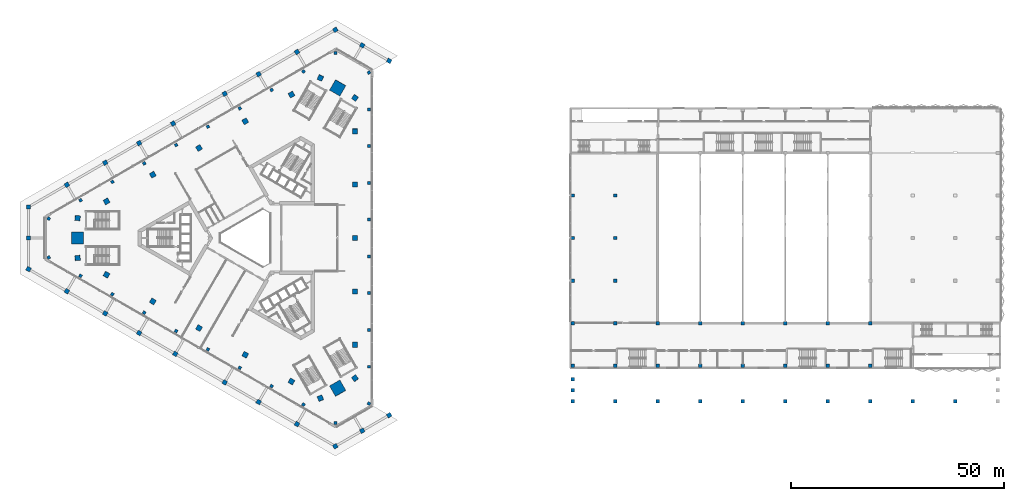
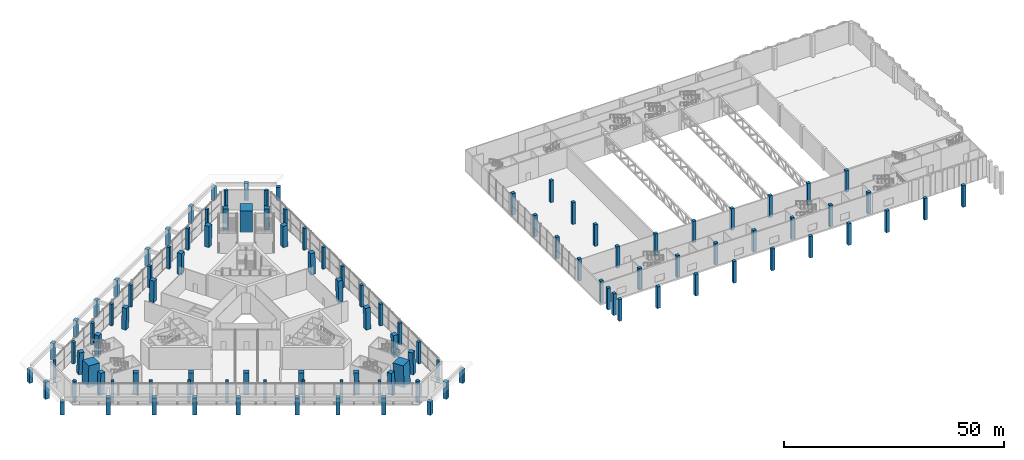
# One storey, part 1 of 51: 111 columns.
"""IFC4 building model written with IfcOpenShell, lengths in metres."""

from ifc_helpers import new_model, si_unit, direction, frame, origin, origin_2d, place, context, subcontext, project, spatial, rectangle, extrude, material, material_profile, profile_set, type_object, element, save


model = new_model("IFC4")

# Units and contexts
model_context = context("Model", 3, precision=1e-05, world=origin(), true_north=direction((0.0, 1.0)))
body_context = subcontext(model_context, "Body", "Model", "MODEL_VIEW")
ifc_project = project(units=[si_unit("LENGTHUNIT", "METRE"), si_unit("AREAUNIT", "SQUARE_METRE"), si_unit("VOLUMEUNIT", "CUBIC_METRE"), si_unit("PLANEANGLEUNIT", "RADIAN"), si_unit("MASSUNIT", "GRAM", prefix="KILO")], contexts=[model_context])

# Site, building, storey
site_placement = place(None, origin())
site = spatial("IfcSite", under=ifc_project, at=site_placement, CompositionType="ELEMENT")
building_placement = place(site_placement, origin())
building = spatial("IfcBuilding", under=site, at=building_placement, Name="Jabali Bay Hotel Tower and Convention Centre", CompositionType="ELEMENT")
storey_placement = place(building_placement, frame((0.0, 0.0, 9.0)))
storey = spatial("IfcBuildingStorey", under=building, at=storey_placement, Name="L01", CompositionType="ELEMENT", Elevation=9.0)

# Columns
ifc_material_1 = material(Name="Concrete C50", Category="concrete")
ifc_material_profile_1 = material_profile(ifc_material_1, rectangle(XDim=1.0, YDim=1.0, at=origin_2d()), Name="RC 1000x1000")
ifc_profile_set_1 = profile_set([ifc_material_profile_1], Name="Concrete C50")
column_type_1 = type_object("IfcColumnType", Name="Arcade Pier 1000x1000", PredefinedType="COLUMN", material=ifc_profile_set_1)
for number, where, z_axis, x_axis, name in (
    (1, (107.5, 121.6728515625, 0.0), (0.0, 0.0, 1.0), (-0.866025403784, 0.5, 0.0), "Arcade pier 1"),
    (2, (94.83984375, 128.982177734375, 0.0), (0.0, 0.0, 1.0), (-0.866025403784, -0.5, 0.0), "Arcade pier 2"),
    (3, (22.66015625, 87.309326171875, 0.0), (0.0, 0.0, 1.0), (0.0, -1.0, 0.0), "Arcade pier 3"),
    (4, (22.66015625, 72.690673828125, 0.0), (0.0, 0.0, 1.0), (0.866025403784, -0.5, 0.0), "Arcade pier 4"),
    (5, (94.83984375, 31.017822265625, 0.0), (0.0, 0.0, 1.0), (0.866025403784, 0.5, 0.0), "Arcade pier 5"),
    (6, (107.5, 38.3271484375, 0.0), (0.0, 0.0, 1.0), (0.866025403784, 0.5, 0.0), "Arcade pier 6"),
):
    element("IfcColumn", number, at=place(storey_placement, frame(where, z_axis=z_axis, x_axis=x_axis)), inside=storey, type_object=column_type_1, Name=name, PredefinedType="COLUMN", context=body_context, shape_type="SweptSolid", body=[
        extrude(rectangle(XDim=1.0, YDim=1.0, at=origin_2d()), origin(), (0.0, 0.0, 1.0), 3.699951171875),
    ])
for number, where, z_axis, x_axis, name in (
    (7, (101.169921875, 125.32763671875, 0.0), (0.0, 0.0, 1.0), (-0.866025403784, 0.5, 0.0), "Arcade pier 7"),
    (8, (85.8173828125, 123.773193359375, 0.0), (0.0, 0.0, 1.0), (-0.866025403784, -0.5, 0.0), "Arcade pier 8"),
    (9, (76.794921875, 118.56396484375, 0.0), (0.0, 0.0, 1.0), (-0.866025403784, -0.5, 0.0), "Arcade pier 9"),
    (10, (68.811767578125, 113.954833984375, 0.0), (0.0, 0.0, 1.0), (-0.866025403784, -0.5, 0.0), "Arcade pier 10"),
    (11, (56.671630859375, 106.94580078125, 0.0), (0.0, 0.0, 1.0), (-0.866025403784, -0.5, 0.0), "Arcade pier 11"),
    (12, (48.688232421875, 102.336669921875, 0.0), (0.0, 0.0, 1.0), (-0.866025403784, -0.5, 0.0), "Arcade pier 12"),
    (13, (40.705078125, 97.7275390625, 0.0), (0.0, 0.0, 1.0), (-0.866025403784, -0.5, 0.0), "Arcade pier 13"),
    (14, (31.6826171875, 92.5185546875, 0.0), (0.0, 0.0, 1.0), (-0.866025403784, -0.5, 0.0), "Arcade pier 14"),
    (15, (22.66015625, 80.0, 0.0), (0.0, 0.0, 1.0), (0.0, -1.0, 0.0), "Arcade pier 15"),
    (16, (31.6826171875, 67.4814453125, 0.0), (0.0, 0.0, 1.0), (0.866025403784, -0.5, 0.0), "Arcade pier 16"),
    (17, (40.705078125, 62.2724609375, 0.0), (0.0, 0.0, 1.0), (0.866025403784, -0.5, 0.0), "Arcade pier 17"),
    (18, (48.688232421875, 57.663330078125, 0.0), (0.0, 0.0, 1.0), (0.866025403784, -0.5, 0.0), "Arcade pier 18"),
    (19, (57.191162109375, 52.754150390625, 0.0), (0.0, 0.0, 1.0), (0.866025403784, -0.5, 0.0), "Arcade pier 19"),
    (20, (68.811767578125, 46.045166015625, 0.0), (0.0, 0.0, 1.0), (0.866025403784, -0.5, 0.0), "Arcade pier 20"),
    (21, (76.794921875, 41.43603515625, 0.0), (0.0, 0.0, 1.0), (0.866025403784, -0.5, 0.0), "Arcade pier 21"),
    (22, (85.8173828125, 36.226806640625, 0.0), (0.0, 0.0, 1.0), (0.866025403784, -0.5, 0.0), "Arcade pier 22"),
    (23, (101.169921875, 34.67236328125, 0.0), (0.0, 0.0, 1.0), (0.866025403784, 0.5, 0.0), "Arcade pier 23"),
):
    element("IfcColumn", number, at=place(storey_placement, frame(where, z_axis=z_axis, x_axis=x_axis)), inside=storey, type_object=column_type_1, Name=name, PredefinedType="COLUMN", context=body_context, shape_type="SweptSolid", body=[
        extrude(rectangle(XDim=1.0, YDim=1.0, at=origin_2d()), origin(), (0.0, 0.0, 1.0), 4.699951171875),
    ])
ifc_material_2 = material(Name="Concrete C60", Category="concrete")
ifc_material_profile_2 = material_profile(ifc_material_2, rectangle(XDim=0.800048828125, YDim=0.800048828125, at=origin_2d()), Name="RC 800x800")
ifc_profile_set_2 = profile_set([ifc_material_profile_2], Name="Concrete C60")
column_type_2 = type_object("IfcColumnType", Name="CC Column 800x800 C60", PredefinedType="COLUMN", material=ifc_profile_set_2)
for number, where, z_axis, x_axis, name in (
    (24, (150.699951171875, 50.0, 0.0), (0.0, 0.0, 1.0), (1.0, 0.0, 0.0), "CC column CC1/A"),
    (25, (150.699951171875, 60.0, 0.0), (0.0, 0.0, 1.0), (1.0, 0.0, 0.0), "CC column CC1/B"),
    (26, (150.699951171875, 70.0, 0.0), (0.0, 0.0, 1.0), (1.0, 0.0, 0.0), "CC column CC1/C"),
    (27, (150.699951171875, 80.0, 0.0), (0.0, 0.0, 1.0), (1.0, 0.0, 0.0), "CC column CC1/D"),
    (28, (150.699951171875, 90.0, 0.0), (0.0, 0.0, 1.0), (1.0, 0.0, 0.0), "CC column CC1/E"),
    (29, (160.699951171875, 50.0, 0.0), (0.0, 0.0, 1.0), (1.0, 0.0, 0.0), "CC column CC2/A"),
    (30, (160.699951171875, 60.0, 0.0), (0.0, 0.0, 1.0), (1.0, 0.0, 0.0), "CC column CC2/B"),
    (31, (160.699951171875, 70.0, 0.0), (0.0, 0.0, 1.0), (1.0, 0.0, 0.0), "CC column CC2/C"),
    (32, (160.699951171875, 80.0, 0.0), (0.0, 0.0, 1.0), (1.0, 0.0, 0.0), "CC column CC2/D"),
    (33, (160.699951171875, 90.0, 0.0), (0.0, 0.0, 1.0), (1.0, 0.0, 0.0), "CC column CC2/E"),
    (34, (170.699951171875, 50.0, 0.0), (0.0, 0.0, 1.0), (1.0, 0.0, 0.0), "CC column CC3/A"),
    (35, (170.699951171875, 60.0, 0.0), (0.0, 0.0, 1.0), (1.0, 0.0, 0.0), "CC column CC3/B"),
    (36, (180.699951171875, 50.0, 0.0), (0.0, 0.0, 1.0), (1.0, 0.0, 0.0), "CC column CC4/A"),
    (37, (180.699951171875, 60.0, 0.0), (0.0, 0.0, 1.0), (1.0, 0.0, 0.0), "CC column CC4/B"),
    (38, (190.699951171875, 50.0, 0.0), (0.0, 0.0, 1.0), (1.0, 0.0, 0.0), "CC column CC5/A"),
    (39, (190.699951171875, 60.0, 0.0), (0.0, 0.0, 1.0), (1.0, 0.0, 0.0), "CC column CC5/B"),
    (40, (200.699951171875, 50.0, 0.0), (0.0, 0.0, 1.0), (1.0, 0.0, 0.0), "CC column CC6/A"),
    (41, (200.699951171875, 60.0, 0.0), (0.0, 0.0, 1.0), (1.0, 0.0, 0.0), "CC column CC6/B"),
    (42, (210.699951171875, 50.0, 0.0), (0.0, 0.0, 1.0), (1.0, 0.0, 0.0), "CC column CC7/A"),
    (43, (210.699951171875, 60.0, 0.0), (0.0, 0.0, 1.0), (1.0, 0.0, 0.0), "CC column CC7/B"),
    (44, (220.699951171875, 50.0, 0.0), (0.0, 0.0, 1.0), (1.0, 0.0, 0.0), "CC column CC8/A"),
    (45, (220.699951171875, 60.0, 0.0), (0.0, 0.0, 1.0), (1.0, 0.0, 0.0), "CC column CC8/B"),
):
    element("IfcColumn", number, at=place(storey_placement, frame(where, z_axis=z_axis, x_axis=x_axis)), inside=storey, type_object=column_type_2, Name=name, PredefinedType="COLUMN", context=body_context, shape_type="SweptSolid", body=[
        extrude(rectangle(XDim=0.800048828125, YDim=0.800048828125, at=origin_2d()), origin(), (0.0, 0.0, 1.0), 6.0),
    ])
ifc_material_profile_3 = material_profile(ifc_material_2, rectangle(XDim=0.800048828125, YDim=0.800048828125, at=origin_2d()), Name="RC 800x800")
ifc_profile_set_3 = profile_set([ifc_material_profile_3], Name="Concrete C60")
column_type_3 = type_object("IfcColumnType", Name="CC South Pier 800x800", PredefinedType="COLUMN", material=ifc_profile_set_3)
for number, where, z_axis, x_axis, name in (
    (46, (150.699951171875, 44.199951171875, 0.0), (0.0, 0.0, 1.0), (1.0, 0.0, 0.0), "CC south roof return pier W1"),
    (47, (150.699951171875, 46.800048828125, 0.0), (0.0, 0.0, 1.0), (1.0, 0.0, 0.0), "CC south roof return pier W2"),
    (48, (150.699951171875, 41.60009765625, 0.0), (0.0, 0.0, 1.0), (1.0, 0.0, 0.0), "CC south roof pier 1"),
    (49, (160.699951171875, 41.60009765625, 0.0), (0.0, 0.0, 1.0), (1.0, 0.0, 0.0), "CC south roof pier 2"),
    (50, (170.699951171875, 41.60009765625, 0.0), (0.0, 0.0, 1.0), (1.0, 0.0, 0.0), "CC south roof pier 3"),
    (51, (180.699951171875, 41.60009765625, 0.0), (0.0, 0.0, 1.0), (1.0, 0.0, 0.0), "CC south roof pier 4"),
    (52, (190.699951171875, 41.60009765625, 0.0), (0.0, 0.0, 1.0), (1.0, 0.0, 0.0), "CC south roof pier 5"),
    (53, (200.699951171875, 41.60009765625, 0.0), (0.0, 0.0, 1.0), (1.0, 0.0, 0.0), "CC south roof pier 6"),
    (54, (210.699951171875, 41.60009765625, 0.0), (0.0, 0.0, 1.0), (1.0, 0.0, 0.0), "CC south roof pier 7"),
    (55, (220.699951171875, 41.60009765625, 0.0), (0.0, 0.0, 1.0), (1.0, 0.0, 0.0), "CC south roof pier 8"),
    (56, (230.699951171875, 41.60009765625, 0.0), (0.0, 0.0, 1.0), (1.0, 0.0, 0.0), "CC south roof pier 9"),
    (57, (240.699951171875, 41.60009765625, 0.0), (0.0, 0.0, 1.0), (1.0, 0.0, 0.0), "CC south roof pier 10"),
):
    element("IfcColumn", number, at=place(storey_placement, frame(where, z_axis=z_axis, x_axis=x_axis)), inside=storey, type_object=column_type_3, Name=name, PredefinedType="COLUMN", context=body_context, shape_type="SweptSolid", body=[
        extrude(rectangle(XDim=0.800048828125, YDim=0.800048828125, at=origin_2d()), origin(), (0.0, 0.0, 1.0), 6.0),
    ])
ifc_material_profile_4 = material_profile(ifc_material_2, rectangle(XDim=1.199951171875, YDim=1.199951171875, at=origin_2d()), Name="Frame column 1200")
ifc_profile_set_4 = profile_set([ifc_material_profile_4], Name="Concrete C60")
column_type_4 = type_object("IfcColumnType", Name="Frame column 1200", PredefinedType="COLUMN", material=ifc_profile_set_4)
column_1_placement = place(storey_placement, frame((84.5244140625, 113.759033203125, 0.0), z_axis=(-0.00833787672, -0.028145418002, 0.999569064776), x_axis=(0.865309082084, 0.500785083467, 0.021318832991)))
element("IfcColumn", 58, at=column_1_placement, inside=storey, type_object=column_type_4, Name="FC1 F1.1 L01", PredefinedType="COLUMN", context=body_context, shape_type="SweptSolid", body=[
    extrude(rectangle(XDim=1.199951171875, YDim=1.199951171875, at=origin_2d()), origin(), (0.0, 0.0, 1.0), 6.002685546875),
])
column_2_placement = place(storey_placement, frame((73.643798828125, 107.47705078125, 0.0), z_axis=(0.000854269334, -0.022821195063, 0.999739197631), x_axis=(0.866126375085, 0.499711236575, 0.010666884352)))
element("IfcColumn", 59, at=column_2_placement, inside=storey, type_object=column_type_4, Name="FC1 F1.2 L01", PredefinedType="COLUMN", context=body_context, shape_type="SweptSolid", body=[
    extrude(rectangle(XDim=1.199951171875, YDim=1.199951171875, at=origin_2d()), origin(), (0.0, 0.0, 1.0), 6.00146484375),
])
column_3_placement = place(storey_placement, frame((62.762939453125, 101.195068359375, 0.0), z_axis=(0.010089088034, -0.017493176833, 0.999796078742), x_axis=(-0.499503863696, 0.866076260626, 0.020194081635)))
element("IfcColumn", 60, at=column_3_placement, inside=storey, type_object=column_type_4, Name="FC1 F1.3 L01", PredefinedType="COLUMN", context=body_context, shape_type="SweptSolid", body=[
    extrude(rectangle(XDim=1.199951171875, YDim=1.199951171875, at=origin_2d()), origin(), (0.0, 0.0, 1.0), 6.001220703125),
])
column_4_placement = place(storey_placement, frame((51.88232421875, 94.9130859375, 0.0), z_axis=(0.019322760918, -0.012163169504, 0.999739310129), x_axis=(-0.499287947534, 0.866200880025, 0.02018863274)))
element("IfcColumn", 61, at=column_4_placement, inside=storey, type_object=column_type_4, Name="FC1 F1.4 L01", PredefinedType="COLUMN", context=body_context, shape_type="SweptSolid", body=[
    extrude(rectangle(XDim=1.199951171875, YDim=1.199951171875, at=origin_2d()), origin(), (0.0, 0.0, 1.0), 6.00146484375),
])
for number, where, z_axis, x_axis, name in (
    (62, (41.00146484375, 88.631103515625, 0.0), (0.028552140413, -0.006832990868, 0.999568949855), (-0.499223808218, 0.86623801127, 0.020181603974), "FC1 F1.5 L01"),
    (63, (41.00146484375, 71.368896484375, 0.0), (0.028552140413, 0.006832990868, 0.999568949855), (-0.866002519965, 0.499584845713, 0.021321757606), "FC1 F2.1 L01"),
):
    element("IfcColumn", number, at=place(storey_placement, frame(where, z_axis=z_axis, x_axis=x_axis)), inside=storey, type_object=column_type_4, Name=name, PredefinedType="COLUMN", context=body_context, shape_type="SweptSolid", body=[
        extrude(rectangle(XDim=1.199951171875, YDim=1.199951171875, at=origin_2d()), origin(), (0.0, 0.0, 1.0), 6.002685546875),
    ])
column_5_placement = place(storey_placement, frame((51.88232421875, 65.0869140625, 0.0), z_axis=(0.019322760918, 0.012163169504, 0.999739310129), x_axis=(-0.866220627991, 0.499547888347, 0.010664468574)))
element("IfcColumn", 64, at=column_5_placement, inside=storey, type_object=column_type_4, Name="FC1 F2.2 L01", PredefinedType="COLUMN", context=body_context, shape_type="SweptSolid", body=[
    extrude(rectangle(XDim=1.199951171875, YDim=1.199951171875, at=origin_2d()), origin(), (0.0, 0.0, 1.0), 6.00146484375),
])
column_6_placement = place(storey_placement, frame((62.762939453125, 58.804931640625, 0.0), z_axis=(0.010089088034, 0.017493176833, 0.999796078742), x_axis=(-0.866252907906, 0.499605744107, 1.0221e-08)))
element("IfcColumn", 65, at=column_6_placement, inside=storey, type_object=column_type_4, Name="FC1 F2.3 L01", PredefinedType="COLUMN", context=body_context, shape_type="SweptSolid", body=[
    extrude(rectangle(XDim=1.199951171875, YDim=1.199951171875, at=origin_2d()), origin(), (0.0, 0.0, 1.0), 6.001220703125),
])
column_7_placement = place(storey_placement, frame((73.643798828125, 52.52294921875, 0.0), z_axis=(0.000854269334, 0.022821195063, 0.999739197631), x_axis=(-0.49982434175, -0.865891374883, 0.02019292694)))
element("IfcColumn", 66, at=column_7_placement, inside=storey, type_object=column_type_4, Name="FC1 F2.4 L01", PredefinedType="COLUMN", context=body_context, shape_type="SweptSolid", body=[
    extrude(rectangle(XDim=1.199951171875, YDim=1.199951171875, at=origin_2d()), origin(), (0.0, 0.0, 1.0), 6.00146484375),
])
for number, where, z_axis, x_axis, name in (
    (67, (84.5244140625, 46.240966796875, 0.0), (-0.00833787672, 0.028145418002, 0.999569064776), (-0.501169305001, -0.865113943722, 0.020179001527), "FC1 F2.5 L01"),
    (68, (99.473876953125, 54.8720703125, 0.0), (-0.020173599362, 0.021312431584, 0.999569310328), (-0.000200230615, -0.999772837922, 0.021312730008), "FC1 F0.1 L01"),
):
    element("IfcColumn", number, at=place(storey_placement, frame(where, z_axis=z_axis, x_axis=x_axis)), inside=storey, type_object=column_type_4, Name=name, PredefinedType="COLUMN", context=body_context, shape_type="SweptSolid", body=[
        extrude(rectangle(XDim=1.199951171875, YDim=1.199951171875, at=origin_2d()), origin(), (0.0, 0.0, 1.0), 6.002685546875),
    ])
column_8_placement = place(storey_placement, frame((99.473876953125, 67.43603515625, 0.0), z_axis=(-0.020177036458, 0.010658031355, 0.999739612883), x_axis=(-8.8853105e-05, -0.999943193604, 0.01065840843)))
element("IfcColumn", 69, at=column_8_placement, inside=storey, type_object=column_type_4, Name="FC1 F0.2 L01", PredefinedType="COLUMN", context=body_context, shape_type="SweptSolid", body=[
    extrude(rectangle(XDim=1.199951171875, YDim=1.199951171875, at=origin_2d()), origin(), (0.0, 0.0, 1.0), 6.00146484375),
])
column_9_placement = place(storey_placement, frame((99.473876953125, 80.0, 0.0), z_axis=(-0.020178182547, 0.0, 0.999796399748), x_axis=(0.0, -1.0, 0.0)))
element("IfcColumn", 70, at=column_9_placement, inside=storey, type_object=column_type_4, Name="FC1 F0.3 L01", PredefinedType="COLUMN", context=body_context, shape_type="SweptSolid", body=[
    extrude(rectangle(XDim=1.199951171875, YDim=1.199951171875, at=origin_2d()), origin(), (0.0, 0.0, 1.0), 6.001220703125),
])
column_10_placement = place(storey_placement, frame((99.473876953125, 92.56396484375, 0.0), z_axis=(-0.020177036458, -0.010658031355, 0.999739612883), x_axis=(0.99979641893, -0.000126225127, 0.020176837272)))
element("IfcColumn", 71, at=column_10_placement, inside=storey, type_object=column_type_4, Name="FC1 F0.4 L01", PredefinedType="COLUMN", context=body_context, shape_type="SweptSolid", body=[
    extrude(rectangle(XDim=1.199951171875, YDim=1.199951171875, at=origin_2d()), origin(), (0.0, 0.0, 1.0), 6.00146484375),
])
column_11_placement = place(storey_placement, frame((99.473876953125, 105.1279296875, 0.0), z_axis=(-0.020173599362, -0.021312431584, 0.999569310328), x_axis=(0.999796472186, -0.000229810099, 0.020173284087)))
element("IfcColumn", 72, at=column_11_placement, inside=storey, type_object=column_type_4, Name="FC1 F0.5 L01", PredefinedType="COLUMN", context=body_context, shape_type="SweptSolid", body=[
    extrude(rectangle(XDim=1.199951171875, YDim=1.199951171875, at=origin_2d()), origin(), (0.0, 0.0, 1.0), 6.002685546875),
])
for number, where, z_axis, x_axis, name in (
    (73, (99.473876953125, 47.006103515625, 0.0), (-0.020169699382, 0.028993942862, 0.999376072609), (-0.803188264579, -0.595724315697, 0.001073000401), "FC1 V0 L01"),
    (74, (99.473876953125, 112.993896484375, 0.0), (-0.020169699382, -0.028993942862, 0.999376072609), (0.595383737492, 0.802665491325, 0.035303175013), "FC1 V1 L01"),
    (75, (91.336669921875, 117.692138671875, 0.0), (-0.015045921666, -0.032003082031, 0.999374515876), (0.917475973145, -0.397789748822, 0.001074445709), "FC1 V2 L01"),
    (76, (34.189453125, 84.697998046875, 0.0), (0.035215618281, -0.002968522095, 0.999375328946), (-0.992831941315, 0.114179407707, 0.035324200763), "FC1 V3 L01"),
    (77, (34.189453125, 75.302001953125, 0.0), (0.035215618281, 0.002968522095, 0.999375328946), (-0.114212943806, 0.99345571151, 0.001073654883), "FC1 V4 L01"),
    (78, (91.336669921875, 42.307861328125, 0.0), (-0.015045921666, 0.032003082031, 0.999374515876), (0.397506552075, -0.916918272515, 0.035347172231), "FC1 V5 L01"),
):
    element("IfcColumn", number, at=place(storey_placement, frame(where, z_axis=z_axis, x_axis=x_axis)), inside=storey, type_object=column_type_4, Name=name, PredefinedType="COLUMN", context=body_context, shape_type="SweptSolid", body=[
        extrude(rectangle(XDim=1.199951171875, YDim=1.199951171875, at=origin_2d()), origin(), (0.0, 0.0, 1.0), 6.003662109375),
    ])
ifc_material_3 = material(Name="Concrete C70", Category="concrete")
ifc_material_profile_5 = material_profile(ifc_material_3, rectangle(XDim=2.800048828125, YDim=2.800048828125, at=origin_2d()), Name="Mega column 2800")
ifc_profile_set_5 = profile_set([ifc_material_profile_5], Name="Concrete C70")
column_type_5 = type_object("IfcColumnType", Name="Mega column 2800", PredefinedType="COLUMN", material=ifc_profile_set_5)
for number, where, z_axis, x_axis, name in (
    (79, (95.4052734375, 115.343017578125, 0.0), (-0.017607886242, -0.030498648224, 0.999379705016), (0.866033089023, -0.499986688539, 9.4041e-08), "MC1 M1 L01"),
    (80, (34.189453125, 80.0, 0.0), (0.035215773444, 0.0, 0.999379732284), (0.0, 1.0, 0.0), "MC1 M0 L01"),
    (81, (95.4052734375, 44.656982421875, 0.0), (-0.017607886242, 0.030498648224, 0.999379705016), (0.499678586977, -0.86549471663, 0.035216547267), "MC1 M2 L01"),
):
    element("IfcColumn", number, at=place(storey_placement, frame(where, z_axis=z_axis, x_axis=x_axis)), inside=storey, type_object=column_type_5, Name=name, PredefinedType="COLUMN", context=body_context, shape_type="SweptSolid", body=[
        extrude(rectangle(XDim=2.800048828125, YDim=2.800048828125, at=origin_2d()), origin(), (0.0, 0.0, 1.0), 6.003662109375),
    ])
ifc_material_profile_6 = material_profile(ifc_material_2, rectangle(XDim=0.699951171875, YDim=0.699951171875, at=origin_2d()), Name="Podium column 700")
ifc_profile_set_6 = profile_set([ifc_material_profile_6], Name="Concrete C60")
column_type_6 = type_object("IfcColumnType", Name="Podium column 700", PredefinedType="COLUMN", material=ifc_profile_set_6)
for number, where, z_axis, x_axis, name in (
    (82, (102.75, 41.069580078125, 0.0), (0.0, 0.0, 1.0), (0.49999996977, 0.866025421238, 0.0), "PC P01 L01"),
    (83, (102.75, 49.720703125, 0.0), (0.0, 0.0, 1.0), (1.0, 0.0, 0.0), "PC P02 L01"),
    (84, (102.75, 58.3720703125, 0.0), (0.0, 0.0, 1.0), (1.0, 0.0, 0.0), "PC P03 L01"),
    (85, (102.75, 67.023193359375, 0.0), (0.0, 0.0, 1.0), (1.0, 0.0, 0.0), "PC P04 L01"),
    (86, (102.75, 75.67431640625, 0.0), (0.0, 0.0, 1.0), (1.0, 0.0, 0.0), "PC P05 L01"),
    (87, (102.75, 84.32568359375, 0.0), (0.0, 0.0, 1.0), (1.0, 0.0, 0.0), "PC P06 L01"),
    (88, (102.75, 92.976806640625, 0.0), (0.0, 0.0, 1.0), (1.0, 0.0, 0.0), "PC P07 L01"),
    (89, (102.75, 101.6279296875, 0.0), (0.0, 0.0, 1.0), (1.0, 0.0, 0.0), "PC P08 L01"),
    (90, (102.75, 110.279296875, 0.0), (0.0, 0.0, 1.0), (1.0, 0.0, 0.0), "PC P09 L01"),
    (91, (102.75, 118.930419921875, 0.0), (0.0, 0.0, 1.0), (0.866025421238, 0.49999996977, 0.0), "PC P10 L01"),
    (92, (94.83984375, 123.497314453125, 0.0), (0.0, 0.0, 1.0), (3.4907e-08, 1.0, 0.0), "PC P11 L01"),
    (93, (87.34765625, 119.171875, 0.0), (0.0, 0.0, 1.0), (0.866025403784, 0.5, 0.0), "PC P12 L01"),
    (94, (79.85546875, 114.84619140625, 0.0), (0.0, 0.0, 1.0), (0.866025403784, 0.5, 0.0), "PC P13 L01"),
    (95, (72.36328125, 110.5205078125, 0.0), (0.0, 0.0, 1.0), (0.866025403784, 0.5, 0.0), "PC P14 L01"),
    (96, (64.87109375, 106.195068359375, 0.0), (0.0, 0.0, 1.0), (0.866025403784, 0.5, 0.0), "PC P15 L01"),
    (97, (57.37890625, 101.869384765625, 0.0), (0.0, 0.0, 1.0), (0.866025403784, 0.5, 0.0), "PC P16 L01"),
    (98, (49.88671875, 97.543701171875, 0.0), (0.0, 0.0, 1.0), (0.866025403784, 0.5, 0.0), "PC P17 L01"),
    (99, (42.39453125, 93.21826171875, 0.0), (0.0, 0.0, 1.0), (0.866025403784, 0.5, 0.0), "PC P18 L01"),
    (100, (34.90234375, 88.892578125, 0.0), (0.0, 0.0, 1.0), (0.866025403784, 0.5, 0.0), "PC P19 L01"),
    (101, (27.41015625, 84.56689453125, 0.0), (0.0, 0.0, 1.0), (0.5, 0.866025403784, 0.0), "PC P20 L01"),
    (102, (27.41015625, 75.43310546875, 0.0), (0.0, 0.0, 1.0), (0.866025403784, 0.5, 0.0), "PC P21 L01"),
    (103, (34.90234375, 71.107421875, 0.0), (0.0, 0.0, 1.0), (0.5, 0.866025403784, 0.0), "PC P22 L01"),
    (104, (42.39453125, 66.78173828125, 0.0), (0.0, 0.0, 1.0), (0.5, 0.866025403784, 0.0), "PC P23 L01"),
    (105, (49.88671875, 62.456298828125, 0.0), (0.0, 0.0, 1.0), (0.5, 0.866025403784, 0.0), "PC P24 L01"),
    (106, (57.37890625, 58.130615234375, 0.0), (0.0, 0.0, 1.0), (0.5, 0.866025403784, 0.0), "PC P25 L01"),
    (107, (64.87109375, 53.804931640625, 0.0), (0.0, 0.0, 1.0), (0.5, 0.866025403784, 0.0), "PC P26 L01"),
    (108, (72.36328125, 49.4794921875, 0.0), (0.0, 0.0, 1.0), (0.5, 0.866025403784, 0.0), "PC P27 L01"),
    (109, (79.85546875, 45.15380859375, 0.0), (0.0, 0.0, 1.0), (0.5, 0.866025403784, 0.0), "PC P28 L01"),
    (110, (87.34765625, 40.828125, 0.0), (0.0, 0.0, 1.0), (0.5, 0.866025403784, 0.0), "PC P29 L01"),
    (111, (94.83984375, 36.502685546875, 0.0), (0.0, 0.0, 1.0), (1.0, 3.4907e-08, 0.0), "PC P30 L01"),
):
    element("IfcColumn", number, at=place(storey_placement, frame(where, z_axis=z_axis, x_axis=x_axis)), inside=storey, type_object=column_type_6, Name=name, PredefinedType="COLUMN", context=body_context, shape_type="SweptSolid", body=[
        extrude(rectangle(XDim=0.699951171875, YDim=0.699951171875, at=origin_2d()), origin(), (0.0, 0.0, 1.0), 6.0),
    ])

save(model, "model.ifc")
